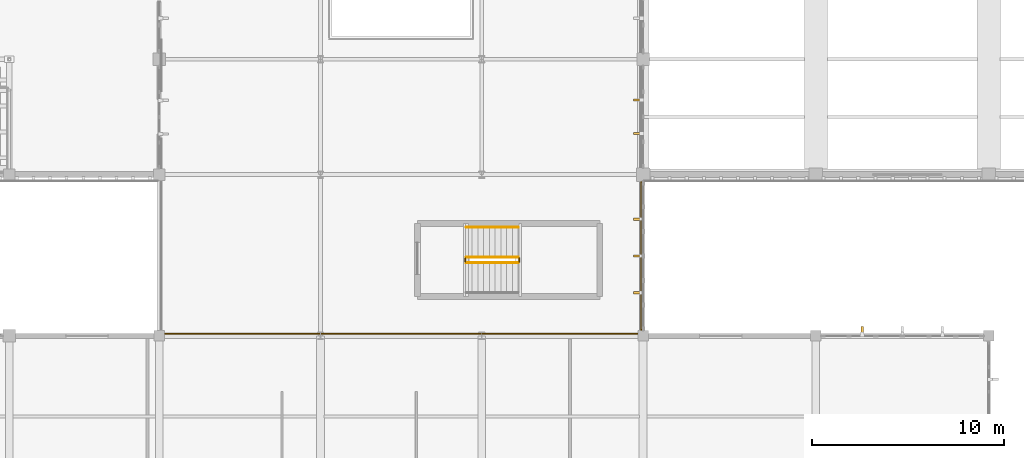
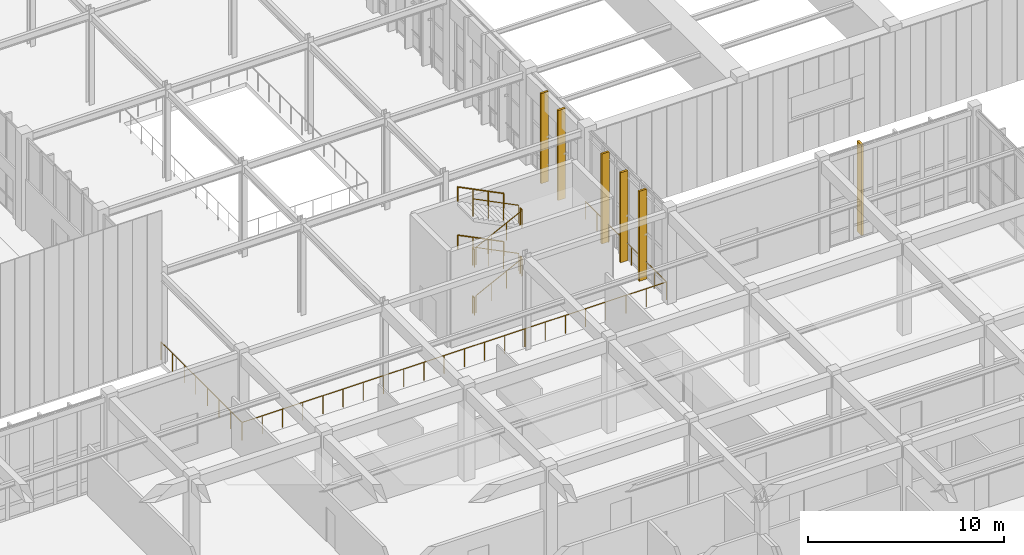
# One storey, part 96 of 105: 11 railings, 6 coverings.
"""IFC4 building model written with IfcOpenShell, lengths in metres."""

from ifc_helpers import new_model, si_unit, direction, frame, origin, origin_2d, place, context, subcontext, project, spatial, rectangle, circle, extrude, material, layer, layer_set, type_object, element, save


model = new_model("IFC4")

# Units and contexts
model_context = context("Model", 3, precision=1e-05, world=origin(), true_north=direction((0.0, 1.0)))
body_context = subcontext(model_context, "Body", "Model", "MODEL_VIEW")
ifc_project = project(units=[si_unit("LENGTHUNIT", "METRE"), si_unit("AREAUNIT", "SQUARE_METRE"), si_unit("VOLUMEUNIT", "CUBIC_METRE"), si_unit("PLANEANGLEUNIT", "RADIAN"), si_unit("MASSUNIT", "GRAM", prefix="KILO")], contexts=[model_context])

# Site, building, storey
site_placement = place(None, origin())
site = spatial("IfcSite", under=ifc_project, at=site_placement, CompositionType="ELEMENT")
building_placement = place(site_placement, origin())
building = spatial("IfcBuilding", under=site, at=building_placement, Name="Tizgana Railside Sports Hall", CompositionType="ELEMENT")
storey_placement = place(building_placement, frame((0.0, 0.0, 6.0)))
storey = spatial("IfcBuildingStorey", under=building, at=storey_placement, Name="L01", CompositionType="ELEMENT", Elevation=6.0)

# Coverings
ifc_material_1 = material(Name="Glulam GL28h", Category="wood")
ifc_layer = layer(ifc_material_1, 0.139892578125, Name="Glulam GL28h")
ifc_layer_set = layer_set([ifc_layer], Name="Glulam GL28h")
covering_type = type_object("IfcCoveringType", Name="Mass-Timber Brise-Soleil & Pergola Fin", PredefinedType="CLADDING", material=ifc_layer_set)
for number, where, z_axis, x_axis, name in (
    (1, (79.52001953125, 34.646240234375, 0.0400390625), (0.0, 0.0, 1.0), (0.0, 1.0, 0.0), "L01 Timber Brise-Soleil Fin"),
    (2, (79.52001953125, 36.5625, 0.0400390625), (0.0, 0.0, 1.0), (0.0, 1.0, 0.0), "L01 Timber Brise-Soleil Fin"),
    (3, (79.52001953125, 38.478759765625, 0.0400390625), (0.0, 0.0, 1.0), (0.0, 1.0, 0.0), "L01 Timber Brise-Soleil Fin"),
):
    element("IfcCovering", number, at=place(storey_placement, frame(where, z_axis=z_axis, x_axis=x_axis)), inside=storey, type_object=covering_type, Name=name, PredefinedType="CLADDING", context=body_context, shape_type="SweptSolid", body=[
        extrude(rectangle(XDim=0.1201171875, YDim=0.43994140625, at=origin_2d()), origin(), (0.0, 0.0, 1.0), 5.610107421875),
    ])
covering_placement = place(storey_placement, frame((91.215087890625, 32.679931640625, 0.0400390625), z_axis=(0.0, 0.0, 1.0), x_axis=(1.0, 0.0, 0.0)))
element("IfcCovering", 4, at=covering_placement, inside=storey, type_object=covering_type, Name="L01 Timber Brise-Soleil Fin", PredefinedType="CLADDING", context=body_context, shape_type="SweptSolid", body=[
    extrude(rectangle(XDim=0.1201171875, YDim=0.43994140625, at=origin_2d()), origin(), (0.0, 0.0, 1.0), 5.639892578125),
])
for number, where, z_axis, x_axis, name in (
    (5, (79.52001953125, 42.943359375, 0.0400390625), (0.0, 0.0, 1.0), (0.0, 1.0, 0.0), "L01 Timber Brise-Soleil Fin"),
    (6, (79.52001953125, 44.681640625, 0.0400390625), (0.0, 0.0, 1.0), (0.0, 1.0, 0.0), "L01 Timber Brise-Soleil Fin"),
):
    element("IfcCovering", number, at=place(storey_placement, frame(where, z_axis=z_axis, x_axis=x_axis)), inside=storey, type_object=covering_type, Name=name, PredefinedType="CLADDING", context=body_context, shape_type="SweptSolid", body=[
        extrude(rectangle(XDim=0.1201171875, YDim=0.43994140625, at=origin_2d()), origin(), (0.0, 0.0, 1.0), 5.610107421875),
    ])

# Railings
ifc_material_2 = material(Name="Galvanised steel sheet", Category="steel")
railing_type_1 = type_object("IfcRailingType", Name="Safety Balustrade Guard 1100", PredefinedType="BALUSTRADE", material=ifc_material_2)
railing_1_placement = place(storey_placement, frame((70.60009765625, 36.199951171875, 0.14990234375)))
element("IfcRailing", 7, at=railing_1_placement, inside=storey, type_object=railing_type_1, Name="L01 ST-10 stair guard 1", PredefinedType="BALUSTRADE", context=body_context, shape_type="SweptSolid", body=[
    extrude(circle(Radius=0.02392578125, at=origin_2d()), frame((0.0, 0.0, 1.076171875), z_axis=(0.894411015155, 0.0, 0.447245945728), x_axis=(0.0, 1.0, 0.0)), (0.0, 0.0, 1.0), 3.018798828125),
    extrude(circle(Radius=0.02099609375, at=origin_2d()), origin(), (0.0, 0.0, 1.0), 1.052001953125),
    extrude(circle(Radius=0.02099609375, at=origin_2d()), frame((0.89990234375, 0.0, 0.449951171875)), (0.0, 0.0, 1.0), 1.052001953125),
    extrude(circle(Radius=0.02099609375, at=origin_2d()), frame((1.800048828125, 0.0, 0.900146484375)), (0.0, 0.0, 1.0), 1.052001953125),
    extrude(circle(Radius=0.02099609375, at=origin_2d()), frame((2.699951171875, 0.0, 1.35009765625)), (0.0, 0.0, 1.0), 1.052001953125),
])
railing_2_placement = place(storey_placement, frame((73.35009765625, 36.25, 1.5)))
element("IfcRailing", 8, at=railing_2_placement, inside=storey, type_object=railing_type_1, Name="L01 ST-10 stair guard 2", PredefinedType="BALUSTRADE", context=body_context, shape_type="SweptSolid", body=[
    extrude(circle(Radius=0.02392578125, at=origin_2d()), frame((0.0, 0.0, 1.076171875), z_axis=(0.0, 1.0, 0.0), x_axis=(-1.0, 0.0, 0.0)), (0.0, 0.0, 1.0), 0.199951171875),
    extrude(circle(Radius=0.02099609375, at=origin_2d()), origin(), (0.0, 0.0, 1.0), 1.052001953125),
    extrude(circle(Radius=0.02099609375, at=origin_2d()), frame((0.0, 0.199951171875, 0.0)), (0.0, 0.0, 1.0), 1.052001953125),
])
railing_3_placement = place(storey_placement, frame((73.300048828125, 36.5, 1.64990234375)))
element("IfcRailing", 9, at=railing_3_placement, inside=storey, type_object=railing_type_1, Name="L01 ST-10 stair guard 3", PredefinedType="BALUSTRADE", context=body_context, shape_type="SweptSolid", body=[
    extrude(circle(Radius=0.02392578125, at=origin_2d()), frame((0.0, 0.0, 1.076171875), z_axis=(-0.894411015155, 0.0, 0.447245945728), x_axis=(0.0, -1.0, 0.0)), (0.0, 0.0, 1.0), 3.018798828125),
    extrude(circle(Radius=0.02099609375, at=origin_2d()), origin(), (0.0, 0.0, 1.0), 1.052001953125),
    extrude(circle(Radius=0.02099609375, at=origin_2d()), frame((-0.89990234375, 0.0, 0.449951171875)), (0.0, 0.0, 1.0), 1.052001953125),
    extrude(circle(Radius=0.02099609375, at=origin_2d()), frame((-1.800048828125, 0.0, 0.900146484375)), (0.0, 0.0, 1.0), 1.052001953125),
    extrude(circle(Radius=0.02099609375, at=origin_2d()), frame((-2.699951171875, 0.0, 1.35009765625)), (0.0, 0.0, 1.0), 1.052001953125),
])
railing_4_placement = place(storey_placement, frame((70.550048828125, 36.25, 3.0)))
element("IfcRailing", 10, at=railing_4_placement, inside=storey, type_object=railing_type_1, Name="L01 ST-10 stair guard 4", PredefinedType="BALUSTRADE", context=body_context, shape_type="SweptSolid", body=[
    extrude(circle(Radius=0.02392578125, at=origin_2d()), frame((0.0, 0.0, 1.076171875), z_axis=(0.0, 1.0, 0.0), x_axis=(-1.0, 0.0, 0.0)), (0.0, 0.0, 1.0), 0.199951171875),
    extrude(circle(Radius=0.02099609375, at=origin_2d()), origin(), (0.0, 0.0, 1.0), 1.052001953125),
    extrude(circle(Radius=0.02099609375, at=origin_2d()), frame((0.0, 0.199951171875, 0.0)), (0.0, 0.0, 1.0), 1.052001953125),
])
railing_5_placement = place(storey_placement, frame((70.60009765625, 36.199951171875, 3.14990234375)))
element("IfcRailing", 11, at=railing_5_placement, inside=storey, type_object=railing_type_1, Name="L01 ST-10 stair guard 5", PredefinedType="BALUSTRADE", context=body_context, shape_type="SweptSolid", body=[
    extrude(circle(Radius=0.02392578125, at=origin_2d()), frame((0.0, 0.0, 1.076171875), z_axis=(0.894411015155, 0.0, 0.447245945728), x_axis=(0.0, 1.0, 0.0)), (0.0, 0.0, 1.0), 3.018798828125),
    extrude(circle(Radius=0.02099609375, at=origin_2d()), origin(), (0.0, 0.0, 1.0), 1.052001953125),
    extrude(circle(Radius=0.02099609375, at=origin_2d()), frame((0.89990234375, 0.0, 0.449951171875)), (0.0, 0.0, 1.0), 1.052001953125),
    extrude(circle(Radius=0.02099609375, at=origin_2d()), frame((1.800048828125, 0.0, 0.900146484375)), (0.0, 0.0, 1.0), 1.052001953125),
    extrude(circle(Radius=0.02099609375, at=origin_2d()), frame((2.699951171875, 0.0, 1.35009765625)), (0.0, 0.0, 1.0), 1.052001953125),
])
railing_6_placement = place(storey_placement, frame((73.35009765625, 36.25, 4.5)))
element("IfcRailing", 12, at=railing_6_placement, inside=storey, type_object=railing_type_1, Name="L01 ST-10 stair guard 6", PredefinedType="BALUSTRADE", context=body_context, shape_type="SweptSolid", body=[
    extrude(circle(Radius=0.02392578125, at=origin_2d()), frame((0.0, 0.0, 1.076171875), z_axis=(0.0, 1.0, 0.0), x_axis=(-1.0, 0.0, 0.0)), (0.0, 0.0, 1.0), 0.199951171875),
    extrude(circle(Radius=0.02099609375, at=origin_2d()), origin(), (0.0, 0.0, 1.0), 1.052001953125),
    extrude(circle(Radius=0.02099609375, at=origin_2d()), frame((0.0, 0.199951171875, 0.0)), (0.0, 0.0, 1.0), 1.052001953125),
])
railing_7_placement = place(storey_placement, frame((73.300048828125, 36.5, 4.64990234375)))
element("IfcRailing", 13, at=railing_7_placement, inside=storey, type_object=railing_type_1, Name="L01 ST-10 stair guard 7", PredefinedType="BALUSTRADE", context=body_context, shape_type="SweptSolid", body=[
    extrude(circle(Radius=0.02392578125, at=origin_2d()), frame((0.0, 0.0, 1.076171875), z_axis=(-0.894411015155, 0.0, 0.447245945728), x_axis=(0.0, -1.0, 0.0)), (0.0, 0.0, 1.0), 3.018798828125),
    extrude(circle(Radius=0.02099609375, at=origin_2d()), origin(), (0.0, 0.0, 1.0), 1.052001953125),
    extrude(circle(Radius=0.02099609375, at=origin_2d()), frame((-0.89990234375, 0.0, 0.449951171875)), (0.0, 0.0, 1.0), 1.052001953125),
    extrude(circle(Radius=0.02099609375, at=origin_2d()), frame((-1.800048828125, 0.0, 0.900146484375)), (0.0, 0.0, 1.0), 1.052001953125),
    extrude(circle(Radius=0.02099609375, at=origin_2d()), frame((-2.699951171875, 0.0, 1.35009765625)), (0.0, 0.0, 1.0), 1.052001953125),
])
railing_8_placement = place(storey_placement, frame((70.550048828125, 36.25, 0.0)))
element("IfcRailing", 14, at=railing_8_placement, inside=storey, type_object=railing_type_1, Name="L01 ST-10 stair guard 8", PredefinedType="BALUSTRADE", context=body_context, shape_type="SweptSolid", body=[
    extrude(circle(Radius=0.02392578125, at=origin_2d()), frame((0.0, 0.0, 1.076171875), z_axis=(0.0, 1.0, 0.0), x_axis=(-1.0, 0.0, 0.0)), (0.0, 0.0, 1.0), 0.199951171875),
    extrude(circle(Radius=0.02099609375, at=origin_2d()), origin(), (0.0, 0.0, 1.0), 1.052001953125),
    extrude(circle(Radius=0.02099609375, at=origin_2d()), frame((0.0, 0.199951171875, 0.0)), (0.0, 0.0, 1.0), 1.052001953125),
])
ifc_material_3 = material(Name="Brushed stainless steel", Category="steel")
railing_type_2 = type_object("IfcRailingType", Name="Stair & Ramp Wall Handrail 900", PredefinedType="HANDRAIL", material=ifc_material_3)
for number, where, name in (
    (15, (73.300048828125, 38.050048828125, 1.64990234375), "L01 ST-10 stair handrail 2"),
    (16, (73.300048828125, 38.050048828125, 4.64990234375), "L01 ST-10 stair handrail 4"),
):
    element("IfcRailing", number, at=place(storey_placement, frame(where)), inside=storey, type_object=railing_type_2, Name=name, PredefinedType="HANDRAIL", context=body_context, shape_type="SweptSolid", body=[
        extrude(circle(Radius=0.02392578125, at=origin_2d()), frame((0.0, 0.0, 0.8759765625), z_axis=(-0.894411015155, 0.0, 0.447245945728), x_axis=(0.0, -1.0, 0.0)), (0.0, 0.0, 1.0), 3.018798828125),
        extrude(circle(Radius=0.02099609375, at=origin_2d()), origin(), (0.0, 0.0, 1.0), 0.851806640625),
        extrude(circle(Radius=0.02099609375, at=origin_2d()), frame((-0.89990234375, 0.0, 0.449951171875)), (0.0, 0.0, 1.0), 0.851806640625),
        extrude(circle(Radius=0.02099609375, at=origin_2d()), frame((-1.800048828125, 0.0, 0.900146484375)), (0.0, 0.0, 1.0), 0.851806640625),
        extrude(circle(Radius=0.02099609375, at=origin_2d()), frame((-2.699951171875, 0.0, 1.35009765625)), (0.0, 0.0, 1.0), 0.851806640625),
    ])
ifc_material_4 = material(Name="Anodised aluminium", Category="aluminium")
railing_type_3 = type_object("IfcRailingType", Name="Terrace & Track Guard 1150", PredefinedType="BALUSTRADE", material=ifc_material_4)
railing_9_placement = place(storey_placement, frame((54.699951171875, 40.800048828125, 0.0)))
element("IfcRailing", 17, at=railing_9_placement, inside=storey, type_object=railing_type_3, Name="L01 Safety Guard GRD-0023", PredefinedType="BALUSTRADE", context=body_context, shape_type="SweptSolid", body=[
    extrude(circle(Radius=0.02392578125, at=origin_2d()), frame((0.0, 0.0, 1.1259765625), z_axis=(0.0, -1.0, 0.0), x_axis=(1.0, 0.0, 0.0)), (0.0, 0.0, 1.0), 8.280029296875),
    extrude(circle(Radius=0.02392578125, at=origin_2d()), frame((0.0, -8.280029296875, 1.1259765625), z_axis=(1.0, 0.0, 0.0), x_axis=(0.0, 1.0, 0.0)), (0.0, 0.0, 1.0), 25.0),
    extrude(circle(Radius=0.02392578125, at=origin_2d()), frame((25.0, -8.280029296875, 1.1259765625), z_axis=(0.0, 1.0, 0.0), x_axis=(-1.0, 0.0, 0.0)), (0.0, 0.0, 1.0), 8.280029296875),
    extrude(circle(Radius=0.02099609375, at=origin_2d()), origin(), (0.0, 0.0, 1.0), 1.101806640625),
    extrude(circle(Radius=0.02099609375, at=origin_2d()), frame((0.0, -1.182861328125, 0.0)), (0.0, 0.0, 1.0), 1.101806640625),
    extrude(circle(Radius=0.02099609375, at=origin_2d()), frame((0.0, -2.36572265625, 0.0)), (0.0, 0.0, 1.0), 1.101806640625),
    extrude(circle(Radius=0.02099609375, at=origin_2d()), frame((0.0, -3.548583984375, 0.0)), (0.0, 0.0, 1.0), 1.101806640625),
    extrude(circle(Radius=0.02099609375, at=origin_2d()), frame((0.0, -4.7314453125, 0.0)), (0.0, 0.0, 1.0), 1.101806640625),
    extrude(circle(Radius=0.02099609375, at=origin_2d()), frame((0.0, -5.914306640625, 0.0)), (0.0, 0.0, 1.0), 1.101806640625),
    extrude(circle(Radius=0.02099609375, at=origin_2d()), frame((0.0, -7.09716796875, 0.0)), (0.0, 0.0, 1.0), 1.101806640625),
    extrude(circle(Radius=0.02099609375, at=origin_2d()), frame((0.0, -8.280029296875, 0.0)), (0.0, 0.0, 1.0), 1.101806640625),
    extrude(circle(Radius=0.02099609375, at=origin_2d()), frame((1.1904296875, -8.280029296875, 0.0)), (0.0, 0.0, 1.0), 1.101806640625),
    extrude(circle(Radius=0.02099609375, at=origin_2d()), frame((2.380859375, -8.280029296875, 0.0)), (0.0, 0.0, 1.0), 1.101806640625),
    extrude(circle(Radius=0.02099609375, at=origin_2d()), frame((3.571533203125, -8.280029296875, 0.0)), (0.0, 0.0, 1.0), 1.101806640625),
    extrude(circle(Radius=0.02099609375, at=origin_2d()), frame((4.761962890625, -8.280029296875, 0.0)), (0.0, 0.0, 1.0), 1.101806640625),
    extrude(circle(Radius=0.02099609375, at=origin_2d()), frame((5.952392578125, -8.280029296875, 0.0)), (0.0, 0.0, 1.0), 1.101806640625),
    extrude(circle(Radius=0.02099609375, at=origin_2d()), frame((7.142822265625, -8.280029296875, 0.0)), (0.0, 0.0, 1.0), 1.101806640625),
    extrude(circle(Radius=0.02099609375, at=origin_2d()), frame((8.333251953125, -8.280029296875, 0.0)), (0.0, 0.0, 1.0), 1.101806640625),
    extrude(circle(Radius=0.02099609375, at=origin_2d()), frame((9.52392578125, -8.280029296875, 0.0)), (0.0, 0.0, 1.0), 1.101806640625),
    extrude(circle(Radius=0.02099609375, at=origin_2d()), frame((10.71435546875, -8.280029296875, 0.0)), (0.0, 0.0, 1.0), 1.101806640625),
    extrude(circle(Radius=0.02099609375, at=origin_2d()), frame((11.90478515625, -8.280029296875, 0.0)), (0.0, 0.0, 1.0), 1.101806640625),
    extrude(circle(Radius=0.02099609375, at=origin_2d()), frame((13.09521484375, -8.280029296875, 0.0)), (0.0, 0.0, 1.0), 1.101806640625),
    extrude(circle(Radius=0.02099609375, at=origin_2d()), frame((14.28564453125, -8.280029296875, 0.0)), (0.0, 0.0, 1.0), 1.101806640625),
    extrude(circle(Radius=0.02099609375, at=origin_2d()), frame((15.47607421875, -8.280029296875, 0.0)), (0.0, 0.0, 1.0), 1.101806640625),
    extrude(circle(Radius=0.02099609375, at=origin_2d()), frame((16.666748046875, -8.280029296875, 0.0)), (0.0, 0.0, 1.0), 1.101806640625),
    extrude(circle(Radius=0.02099609375, at=origin_2d()), frame((17.857177734375, -8.280029296875, 0.0)), (0.0, 0.0, 1.0), 1.101806640625),
    extrude(circle(Radius=0.02099609375, at=origin_2d()), frame((19.047607421875, -8.280029296875, 0.0)), (0.0, 0.0, 1.0), 1.101806640625),
    extrude(circle(Radius=0.02099609375, at=origin_2d()), frame((20.238037109375, -8.280029296875, 0.0)), (0.0, 0.0, 1.0), 1.101806640625),
    extrude(circle(Radius=0.02099609375, at=origin_2d()), frame((21.428466796875, -8.280029296875, 0.0)), (0.0, 0.0, 1.0), 1.101806640625),
    extrude(circle(Radius=0.02099609375, at=origin_2d()), frame((22.619140625, -8.280029296875, 0.0)), (0.0, 0.0, 1.0), 1.101806640625),
    extrude(circle(Radius=0.02099609375, at=origin_2d()), frame((23.8095703125, -8.280029296875, 0.0)), (0.0, 0.0, 1.0), 1.101806640625),
    extrude(circle(Radius=0.02099609375, at=origin_2d()), frame((25.0, -8.280029296875, 0.0)), (0.0, 0.0, 1.0), 1.101806640625),
    extrude(circle(Radius=0.02099609375, at=origin_2d()), frame((25.0, -7.09716796875, 0.0)), (0.0, 0.0, 1.0), 1.101806640625),
    extrude(circle(Radius=0.02099609375, at=origin_2d()), frame((25.0, -5.914306640625, 0.0)), (0.0, 0.0, 1.0), 1.101806640625),
    extrude(circle(Radius=0.02099609375, at=origin_2d()), frame((25.0, -4.7314453125, 0.0)), (0.0, 0.0, 1.0), 1.101806640625),
    extrude(circle(Radius=0.02099609375, at=origin_2d()), frame((25.0, -3.548583984375, 0.0)), (0.0, 0.0, 1.0), 1.101806640625),
    extrude(circle(Radius=0.02099609375, at=origin_2d()), frame((25.0, -2.36572265625, 0.0)), (0.0, 0.0, 1.0), 1.101806640625),
    extrude(circle(Radius=0.02099609375, at=origin_2d()), frame((25.0, -1.182861328125, 0.0)), (0.0, 0.0, 1.0), 1.101806640625),
    extrude(circle(Radius=0.02099609375, at=origin_2d()), frame((25.0, 0.0, 0.0)), (0.0, 0.0, 1.0), 1.101806640625),
])

save(model, "model.ifc")
